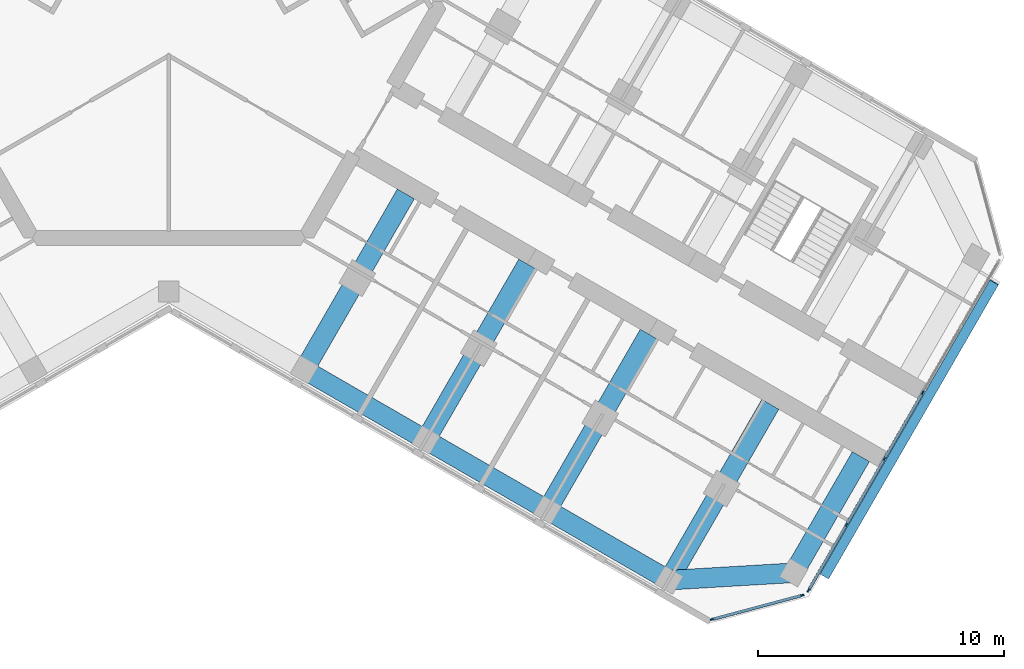
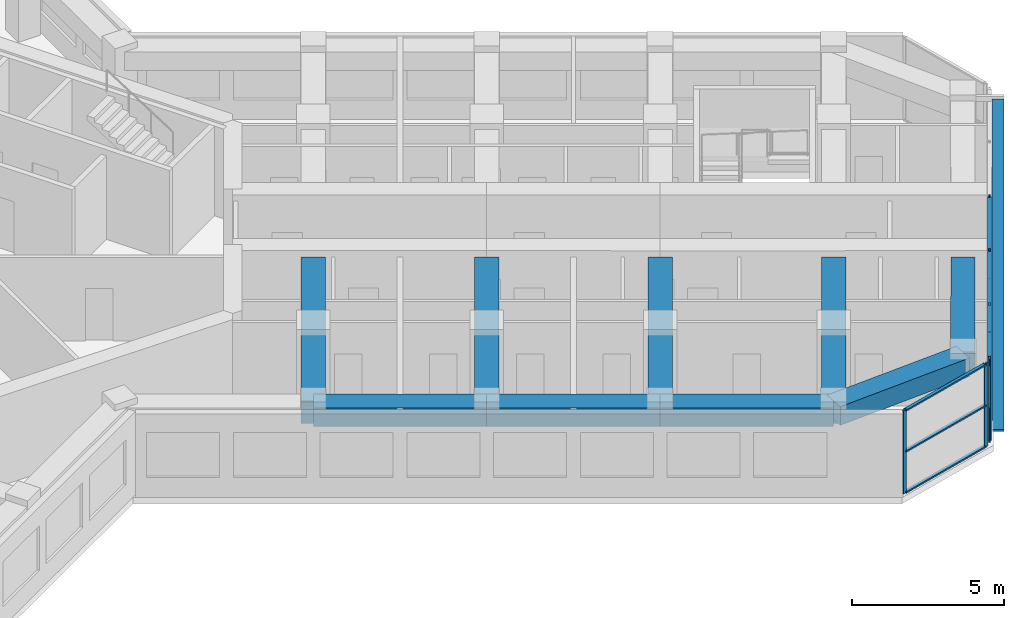
# One storey, part 4 of 16: 16 members, 9 beams, 2 elements without a shape of their own.
"""IFC4 building model written with IfcOpenShell, lengths in metres."""

from ifc_helpers import new_model, si_unit, direction, frame, origin, origin_2d, place, context, subcontext, project, spatial, rectangle, extrude, material, material_profile, profile_set, type_object, element, aggregate, save


model = new_model("IFC4")

# Units and contexts
model_context = context("Model", 3, precision=1e-05, world=origin(), true_north=direction((0.0, 1.0)))
body_context = subcontext(model_context, "Body", "Model", "MODEL_VIEW")
ifc_project = project(units=[si_unit("LENGTHUNIT", "METRE"), si_unit("AREAUNIT", "SQUARE_METRE"), si_unit("VOLUMEUNIT", "CUBIC_METRE"), si_unit("PLANEANGLEUNIT", "RADIAN"), si_unit("MASSUNIT", "GRAM", prefix="KILO")], contexts=[model_context])

# Site, building, storey
site_placement = place(None, origin())
site = spatial("IfcSite", under=ifc_project, at=site_placement, CompositionType="ELEMENT")
building_placement = place(site_placement, origin())
building = spatial("IfcBuilding", under=site, at=building_placement, Name="Kosmar Iwan School Tower", CompositionType="ELEMENT")
storey_placement = place(building_placement, frame((0.0, 0.0, 253.199951171875)))
storey = spatial("IfcBuildingStorey", under=building, at=storey_placement, Name="L64", CompositionType="ELEMENT", Elevation=253.199951171875)

# Member
ifc_material_1 = material(Name="Black anodised aluminium", Category="aluminium")
ifc_material_profile_1 = material_profile(ifc_material_1, rectangle(XDim=0.10009765625, YDim=0.39990234375, at=origin_2d()), Name="FIN 100x400")
ifc_profile_set_1 = profile_set([ifc_material_profile_1], Name="Black anodised aluminium")
member_type_1 = type_object("IfcMemberType", Name="Diagonal fin 100x400", PredefinedType="USERDEFINED", material=ifc_profile_set_1)
member_1_placement = place(storey_placement, frame((26.645263671875, -23.34912109375, -0.14990234375), z_axis=(0.483795538458, 0.837973939202, 0.252470897702), x_axis=(-0.126233699175, -0.218647221293, 0.967604488318)))
element("IfcMember", 1, at=member_1_placement, inside=storey, type_object=member_type_1, Name="Diagonal fin L64-F01", ObjectType="FIN", PredefinedType="USERDEFINED", context=body_context, shape_type="SweptSolid", body=[
    extrude(rectangle(XDim=0.10009765625, YDim=0.39990234375, at=origin_2d()), origin(), (0.0, 0.0, 1.0), 14.258544921875),
])

# Curtain wall, members
ifc_material_2 = material(Name="Dark glass in black aluminium frame", Category="aluminium")
curtain_wall_type_1 = type_object("IfcCurtainWallType", Name="Chamfer curtain wall dark glass", PredefinedType="USERDEFINED", material=ifc_material_2)
curtain_wall_1_placement = place(storey_placement, origin())
curtain_wall_1 = element("IfcCurtainWall", 2, at=curtain_wall_1_placement, inside=storey, type_object=curtain_wall_type_1, Name="Curtain wall L64-F00", ObjectType="FACETED CURTAIN WALL", PredefinedType="USERDEFINED")
ifc_material_3 = material(Name="Black anodised aluminium", Category="aluminium")
ifc_material_profile_2 = material_profile(ifc_material_3, rectangle(XDim=0.06005859375, YDim=0.159912109375, at=origin_2d()), Name="MULLION 60x160")
ifc_profile_set_2 = profile_set([ifc_material_profile_2], Name="Black anodised aluminium")
member_type_2 = type_object("IfcMemberType", Name="Mullion 60x160", PredefinedType="MULLION", material=ifc_profile_set_2)
member_2_placement = place(storey_placement, frame((22.0830078125, -25.102294921875, 0.0), z_axis=(0.0, 0.0, 1.0), x_axis=(-0.258818861462, 0.965925875495, 0.0)))
member_2 = element("IfcMember", 3, at=member_2_placement, type_object=member_type_2, Name="CW2 mullion 1", PredefinedType="MULLION", context=body_context, shape_type="SweptSolid", body=[
    extrude(rectangle(XDim=0.06005859375, YDim=0.159912109375, at=origin_2d()), origin(), (0.0, 0.0, 1.0), 3.35009765625),
])
member_3_placement = place(storey_placement, frame((25.733154296875, -24.124267578125, 0.0), z_axis=(0.0, 0.0, 1.0), x_axis=(-0.258818861462, 0.965925875495, 0.0)))
member_3 = element("IfcMember", 4, at=member_3_placement, type_object=member_type_2, Name="CW2 mullion 2", PredefinedType="MULLION", context=body_context, shape_type="SweptSolid", body=[
    extrude(rectangle(XDim=0.06005859375, YDim=0.159912109375, at=origin_2d()), origin(), (0.0, 0.0, 1.0), 3.35009765625),
])

ifc_material_4 = material(Name="Dark glass in black aluminium frame", Category="aluminium")
curtain_wall_type_2 = type_object("IfcCurtainWallType", Name="Tower curtain wall dark glass", PredefinedType="USERDEFINED", material=ifc_material_4)
curtain_wall_2_placement = place(storey_placement, origin())
curtain_wall_2 = element("IfcCurtainWall", 5, at=curtain_wall_2_placement, inside=storey, type_object=curtain_wall_type_2, Name="Curtain wall L64-F01", ObjectType="UNITISED CURTAIN WALL", PredefinedType="USERDEFINED")
member_4_placement = place(storey_placement, frame((25.9970703125, -23.921630859375, 0.0), z_axis=(0.0, 0.0, 1.0), x_axis=(-0.866025405329, 0.499999997325, 0.0)))
member_4 = element("IfcMember", 6, at=member_4_placement, type_object=member_type_2, Name="CW1 mullion 1", PredefinedType="MULLION", context=body_context, shape_type="SweptSolid", body=[
    extrude(rectangle(XDim=0.06005859375, YDim=0.159912109375, at=origin_2d()), origin(), (0.0, 0.0, 1.0), 3.35009765625),
])
member_5_placement = place(storey_placement, frame((27.53173828125, -21.263671875, 0.0), z_axis=(0.0, 0.0, 1.0), x_axis=(-0.866025405329, 0.499999997325, 0.0)))
member_5 = element("IfcMember", 7, at=member_5_placement, type_object=member_type_2, Name="CW1 mullion 2", PredefinedType="MULLION", context=body_context, shape_type="SweptSolid", body=[
    extrude(rectangle(XDim=0.06005859375, YDim=0.159912109375, at=origin_2d()), origin(), (0.0, 0.0, 1.0), 3.35009765625),
])
member_6_placement = place(storey_placement, frame((29.081298828125, -18.57958984375, 0.0), z_axis=(0.0, 0.0, 1.0), x_axis=(-0.866025405329, 0.499999997325, 0.0)))
member_6 = element("IfcMember", 8, at=member_6_placement, type_object=member_type_2, Name="CW1 mullion 3", PredefinedType="MULLION", context=body_context, shape_type="SweptSolid", body=[
    extrude(rectangle(XDim=0.06005859375, YDim=0.159912109375, at=origin_2d()), origin(), (0.0, 0.0, 1.0), 3.35009765625),
])
member_7_placement = place(storey_placement, frame((30.631103515625, -15.8955078125, 0.0), z_axis=(0.0, 0.0, 1.0), x_axis=(-0.866025405329, 0.499999997325, 0.0)))
member_7 = element("IfcMember", 9, at=member_7_placement, type_object=member_type_2, Name="CW1 mullion 4", PredefinedType="MULLION", context=body_context, shape_type="SweptSolid", body=[
    extrude(rectangle(XDim=0.06005859375, YDim=0.159912109375, at=origin_2d()), origin(), (0.0, 0.0, 1.0), 3.35009765625),
])

# Beams
ifc_material_5 = material(Name="Concrete C50/60", Category="concrete")
ifc_material_profile_3 = material_profile(ifc_material_5, rectangle(XDim=0.800048828125, YDim=0.75, at=origin_2d()), Name="RC 800x750")
ifc_profile_set_3 = profile_set([ifc_material_profile_3], Name="Concrete C50/60")
beam_type_1 = type_object("IfcBeamType", Name="RC edge beam 800x750", PredefinedType="BEAM", material=ifc_profile_set_3)
beam_1_placement = place(storey_placement, frame((5.5087890625, -14.95849609375, 2.97509765625), z_axis=(0.866033658841, -0.49998570155, 0.0), x_axis=(0.49998570155, 0.866033658841, 0.0)))
element("IfcBeam", 10, at=beam_1_placement, inside=storey, type_object=beam_type_1, Name="Edge beam CR2", PredefinedType="BEAM", context=body_context, shape_type="SweptSolid", body=[
    extrude(rectangle(XDim=0.800048828125, YDim=0.75, at=origin_2d()), origin(), (0.0, 0.0, 1.0), 5.699951171875),
])
beam_2_placement = place(storey_placement, frame((10.445068359375, -17.808349609375, 2.97509765625), z_axis=(0.866025820012, -0.499999279071, 0.0), x_axis=(0.499999279071, 0.866025820012, 0.0)))
element("IfcBeam", 11, at=beam_2_placement, inside=storey, type_object=beam_type_1, Name="Edge beam CR3", PredefinedType="BEAM", context=body_context, shape_type="SweptSolid", body=[
    extrude(rectangle(XDim=0.800048828125, YDim=0.75, at=origin_2d()), origin(), (0.0, 0.0, 1.0), 5.7001953125),
])
beam_3_placement = place(storey_placement, frame((15.381591796875, -20.658447265625, 2.97509765625), z_axis=(0.866015111908, -0.50001782563, 0.0), x_axis=(0.50001782563, 0.866015111908, 0.0)))
element("IfcBeam", 12, at=beam_3_placement, inside=storey, type_object=beam_type_1, Name="Edge beam CR4", PredefinedType="BEAM", context=body_context, shape_type="SweptSolid", body=[
    extrude(rectangle(XDim=0.800048828125, YDim=0.75, at=origin_2d()), origin(), (0.0, 0.0, 1.0), 5.699951171875),
])
ifc_material_6 = material(Name="Concrete C50/60", Category="concrete")
ifc_material_profile_4 = material_profile(ifc_material_6, rectangle(XDim=0.800048828125, YDim=0.75, at=origin_2d()), Name="RC 800x750")
ifc_profile_set_4 = profile_set([ifc_material_profile_4], Name="Concrete C50/60")
beam_type_2 = type_object("IfcBeamType", Name="RC tip beam 800x750", PredefinedType="BEAM", material=ifc_profile_set_4)
beam_4_placement = place(storey_placement, frame((20.31787109375, -23.508544921875, 2.97509765625), z_axis=(0.998260616478, 0.058955420358, 0.0), x_axis=(-0.058955420358, 0.998260616478, 0.0)))
element("IfcBeam", 13, at=beam_4_placement, inside=storey, type_object=beam_type_2, Name="Tip beam CR", PredefinedType="BEAM", context=body_context, shape_type="SweptSolid", body=[
    extrude(rectangle(XDim=0.800048828125, YDim=0.75, at=origin_2d()), origin(), (0.0, 0.0, 1.0), 5.08935546875),
])
beam_5_placement = place(storey_placement, frame((25.3984375, -23.20849609375, 2.97509765625), z_axis=(0.500022328685, 0.866012511928, 0.0), x_axis=(-0.866012511928, 0.500022328685, 0.0)))
element("IfcBeam", 14, at=beam_5_placement, inside=storey, type_object=beam_type_2, Name="Tip beam CR to corridor wall", PredefinedType="BEAM", context=body_context, shape_type="SweptSolid", body=[
    extrude(rectangle(XDim=0.800048828125, YDim=0.75, at=origin_2d()), origin(), (0.0, 0.0, 1.0), 5.449951171875),
])
ifc_material_7 = material(Name="Concrete C50/60", Category="concrete")
ifc_material_profile_5 = material_profile(ifc_material_7, rectangle(XDim=0.800048828125, YDim=0.89990234375, at=origin_2d()), Name="RC 800x900")
ifc_profile_set_5 = profile_set([ifc_material_profile_5], Name="Concrete C50/60")
beam_type_3 = type_object("IfcBeamType", Name="RC transverse beam 800x900", PredefinedType="BEAM", material=ifc_profile_set_5)
beam_6_placement = place(storey_placement, frame((5.5087890625, -14.95849609375, 2.900146484375), z_axis=(0.499996545922, 0.866027397988, 0.0), x_axis=(-0.866027397988, 0.499996545922, 0.0)))
element("IfcBeam", 15, at=beam_6_placement, inside=storey, type_object=beam_type_3, Name="Transverse beam CR1", PredefinedType="BEAM", context=body_context, shape_type="SweptSolid", body=[
    extrude(rectangle(XDim=0.800048828125, YDim=0.89990234375, at=origin_2d()), origin(), (0.0, 0.0, 1.0), 8.25),
])
beam_7_placement = place(storey_placement, frame((10.445068359375, -17.808349609375, 2.900146484375), z_axis=(0.500009360108, 0.866019999656, 0.0), x_axis=(-0.866019999656, 0.500009360108, 0.0)))
element("IfcBeam", 16, at=beam_7_placement, inside=storey, type_object=beam_type_3, Name="Transverse beam CR2", PredefinedType="BEAM", context=body_context, shape_type="SweptSolid", body=[
    extrude(rectangle(XDim=0.800048828125, YDim=0.89990234375, at=origin_2d()), origin(), (0.0, 0.0, 1.0), 8.249755859375),
])
for number, where, z_axis, x_axis, name in (
    (17, (15.381591796875, -20.658447265625, 2.900146484375), (0.499996545922, 0.866027397988, 0.0), (-0.866027397988, 0.499996545922, 0.0), "Transverse beam CR3"),
    (18, (20.31787109375, -23.508544921875, 2.900146484375), (0.499996545922, 0.866027397988, 0.0), (-0.866027397988, 0.499996545922, 0.0), "Transverse beam CR4"),
):
    element("IfcBeam", number, at=place(storey_placement, frame(where, z_axis=z_axis, x_axis=x_axis)), inside=storey, type_object=beam_type_3, Name=name, PredefinedType="BEAM", context=body_context, shape_type="SweptSolid", body=[
        extrude(rectangle(XDim=0.800048828125, YDim=0.89990234375, at=origin_2d()), origin(), (0.0, 0.0, 1.0), 8.25),
    ])

# Member
ifc_material_8 = material(Name="Black anodised aluminium", Category="aluminium")
ifc_material_profile_6 = material_profile(ifc_material_8, rectangle(XDim=0.1201171875, YDim=0.06005859375, at=origin_2d()), Name="TRANSOM 60x120")
ifc_profile_set_6 = profile_set([ifc_material_profile_6], Name="Black anodised aluminium")
member_type_3 = type_object("IfcMemberType", Name="Transom 60x120", PredefinedType="USERDEFINED", material=ifc_profile_set_6)
member_8_placement = place(storey_placement, frame((22.11181640625, -25.094482421875, 0.030029296875), z_axis=(0.965923731726, 0.258826861991, 0.0), x_axis=(-0.258826861991, 0.965923731726, 0.0)))
member_8 = element("IfcMember", 19, at=member_8_placement, type_object=member_type_3, Name="CW2 transom 1.1", ObjectType="TRANSOM", PredefinedType="USERDEFINED", context=body_context, shape_type="SweptSolid", body=[
    extrude(rectangle(XDim=0.1201171875, YDim=0.06005859375, at=origin_2d()), origin(), (0.0, 0.0, 1.0), 3.71923828125),
])

member_9_placement = place(storey_placement, frame((22.11181640625, -25.094482421875, 1.675048828125), z_axis=(0.965923731726, 0.258826861991, 0.0), x_axis=(-0.258826861991, 0.965923731726, 0.0)))
member_9 = element("IfcMember", 20, at=member_9_placement, type_object=member_type_3, Name="CW2 transom 1.2", ObjectType="TRANSOM", PredefinedType="USERDEFINED", context=body_context, shape_type="SweptSolid", body=[
    extrude(rectangle(XDim=0.1201171875, YDim=0.06005859375, at=origin_2d()), origin(), (0.0, 0.0, 1.0), 3.71923828125),
])

member_10_placement = place(storey_placement, frame((22.11181640625, -25.094482421875, 3.320068359375), z_axis=(0.965923731726, 0.258826861991, 0.0), x_axis=(-0.258826861991, 0.965923731726, 0.0)))
member_10 = element("IfcMember", 21, at=member_10_placement, type_object=member_type_3, Name="CW2 transom 1.3", ObjectType="TRANSOM", PredefinedType="USERDEFINED", context=body_context, shape_type="SweptSolid", body=[
    extrude(rectangle(XDim=0.1201171875, YDim=0.06005859375, at=origin_2d()), origin(), (0.0, 0.0, 1.0), 3.71923828125),
])

aggregate(curtain_wall_1, [member_2, member_3, member_8, member_9, member_10])

member_11_placement = place(storey_placement, frame((26.01220703125, -23.895751953125, 0.030029296875), z_axis=(0.499986971506, 0.866032925658, 0.0), x_axis=(-0.866032925658, 0.499986971506, 0.0)))
member_11 = element("IfcMember", 22, at=member_11_placement, type_object=member_type_3, Name="CW1 transom 1.1", ObjectType="TRANSOM", PredefinedType="USERDEFINED", context=body_context, shape_type="SweptSolid", body=[
    extrude(rectangle(XDim=0.1201171875, YDim=0.06005859375, at=origin_2d()), origin(), (0.0, 0.0, 1.0), 3.00927734375),
])

member_12_placement = place(storey_placement, frame((26.01220703125, -23.895751953125, 3.320068359375), z_axis=(0.499986971506, 0.866032925658, 0.0), x_axis=(-0.866032925658, 0.499986971506, 0.0)))
member_12 = element("IfcMember", 23, at=member_12_placement, type_object=member_type_3, Name="CW1 transom 1.2", ObjectType="TRANSOM", PredefinedType="USERDEFINED", context=body_context, shape_type="SweptSolid", body=[
    extrude(rectangle(XDim=0.1201171875, YDim=0.06005859375, at=origin_2d()), origin(), (0.0, 0.0, 1.0), 3.00927734375),
])

member_13_placement = place(storey_placement, frame((27.546875, -21.237548828125, 0.030029296875), z_axis=(0.499975102327, 0.866039777986, 0.0), x_axis=(-0.866039777986, 0.499975102327, 0.0)))
member_13 = element("IfcMember", 24, at=member_13_placement, type_object=member_type_3, Name="CW1 transom 2.1", ObjectType="TRANSOM", PredefinedType="USERDEFINED", context=body_context, shape_type="SweptSolid", body=[
    extrude(rectangle(XDim=0.1201171875, YDim=0.06005859375, at=origin_2d()), origin(), (0.0, 0.0, 1.0), 3.039306640625),
])

member_14_placement = place(storey_placement, frame((27.546875, -21.237548828125, 3.320068359375), z_axis=(0.499975102327, 0.866039777986, 0.0), x_axis=(-0.866039777986, 0.499975102327, 0.0)))
member_14 = element("IfcMember", 25, at=member_14_placement, type_object=member_type_3, Name="CW1 transom 2.2", ObjectType="TRANSOM", PredefinedType="USERDEFINED", context=body_context, shape_type="SweptSolid", body=[
    extrude(rectangle(XDim=0.1201171875, YDim=0.06005859375, at=origin_2d()), origin(), (0.0, 0.0, 1.0), 3.039306640625),
])

member_15_placement = place(storey_placement, frame((29.096435546875, -18.553466796875, 0.030029296875), z_axis=(0.499975102327, 0.866039777986, 0.0), x_axis=(-0.866039777986, 0.499975102327, 0.0)))
member_15 = element("IfcMember", 26, at=member_15_placement, type_object=member_type_3, Name="CW1 transom 3.1", ObjectType="TRANSOM", PredefinedType="USERDEFINED", context=body_context, shape_type="SweptSolid", body=[
    extrude(rectangle(XDim=0.1201171875, YDim=0.06005859375, at=origin_2d()), origin(), (0.0, 0.0, 1.0), 3.039306640625),
])

member_16_placement = place(storey_placement, frame((29.096435546875, -18.553466796875, 3.320068359375), z_axis=(0.499975102327, 0.866039777986, 0.0), x_axis=(-0.866039777986, 0.499975102327, 0.0)))
member_16 = element("IfcMember", 27, at=member_16_placement, type_object=member_type_3, Name="CW1 transom 3.2", ObjectType="TRANSOM", PredefinedType="USERDEFINED", context=body_context, shape_type="SweptSolid", body=[
    extrude(rectangle(XDim=0.1201171875, YDim=0.06005859375, at=origin_2d()), origin(), (0.0, 0.0, 1.0), 3.039306640625),
])

aggregate(curtain_wall_2, [member_4, member_5, member_6, member_7, member_11, member_12, member_13, member_14, member_15, member_16])

save(model, "model.ifc")
